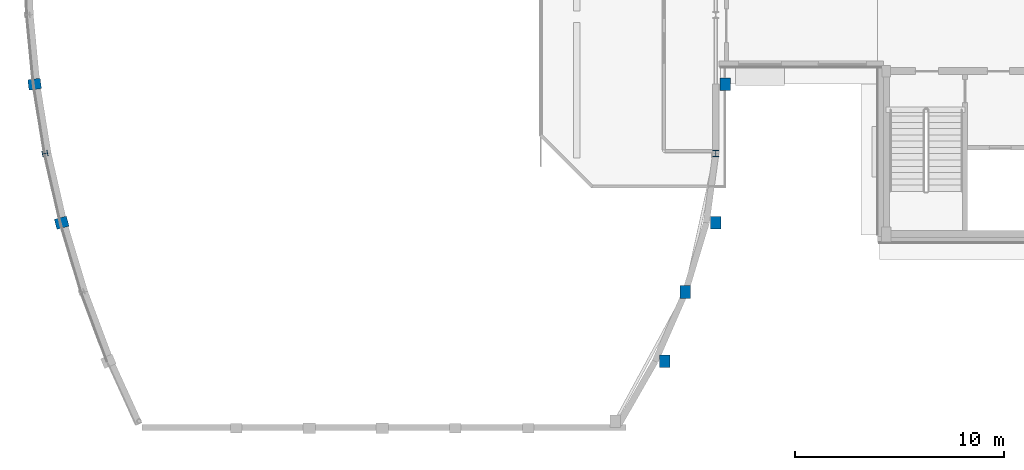
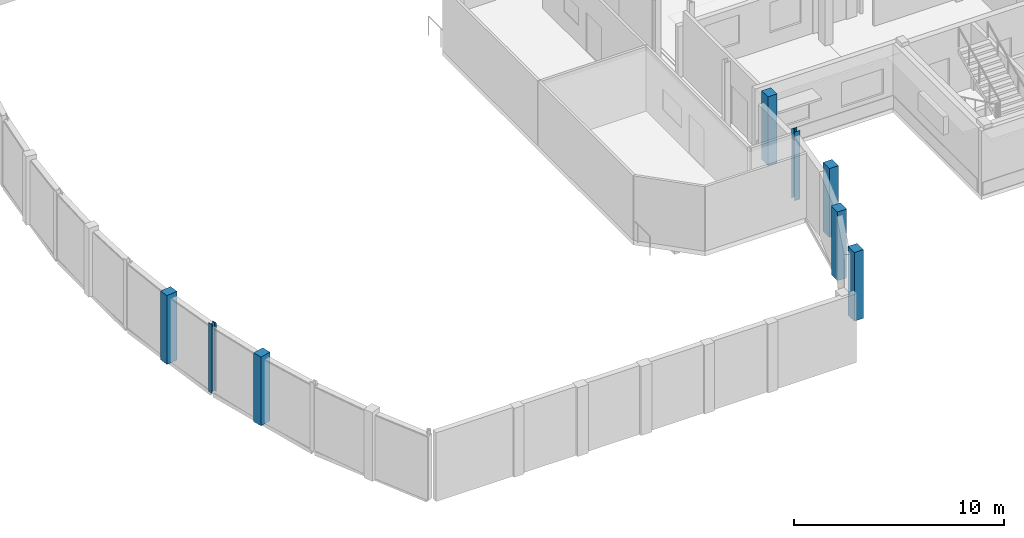
# One storey, part 2 of 92: 8 columns.
"""IFC4 building model written with IfcOpenShell, lengths in metres."""

from ifc_helpers import new_model, si_unit, direction, frame, origin, origin_2d, place, context, subcontext, project, spatial, rectangle, i_section, extrude, material, material_profile, profile_set, type_object, element, save


model = new_model("IFC4")

# Units and contexts
model_context = context("Model", 3, precision=1e-05, world=origin(), true_north=direction((0.0, 1.0)))
body_context = subcontext(model_context, "Body", "Model", "MODEL_VIEW")
ifc_project = project(units=[si_unit("LENGTHUNIT", "METRE"), si_unit("AREAUNIT", "SQUARE_METRE"), si_unit("VOLUMEUNIT", "CUBIC_METRE"), si_unit("PLANEANGLEUNIT", "RADIAN"), si_unit("MASSUNIT", "GRAM", prefix="KILO")], contexts=[model_context])

# Site, building, storey
site_placement = place(None, origin())
site = spatial("IfcSite", under=ifc_project, at=site_placement, CompositionType="ELEMENT")
building_placement = place(site_placement, origin())
building = spatial("IfcBuilding", under=site, at=building_placement, Name="Kelanivale Promenade Academy", CompositionType="ELEMENT")
storey_placement = place(building_placement, frame((0.0, 0.0, 8.199951171875)))
storey = spatial("IfcBuildingStorey", under=building, at=storey_placement, Name="L02", CompositionType="ELEMENT", Elevation=8.199951171875)

# Columns
ifc_material_1 = material(Name="Concrete C40/50", Category="concrete")
ifc_material_profile_1 = material_profile(ifc_material_1, rectangle(XDim=0.5, YDim=0.60009765625, at=origin_2d()), Name="RC-PIL 500x600")
ifc_profile_set_1 = profile_set([ifc_material_profile_1], Name="Concrete C40/50")
column_type_1 = type_object("IfcColumnType", Name="PL-18 RC-PIL 500x600", PredefinedType="PILASTER", material=ifc_profile_set_1)
for number, where, z_axis, x_axis, name in (
    (1, (2.864013671875, 49.571044921875, 0.0), (0.0, 0.0, 1.0), (-0.12741083733, 0.991850028246, 0.0), "Column PL-18 at (2.9, 49.6) L02"),
    (2, (4.157958984375, 42.943115234375, 0.0), (0.0, 0.0, 1.0), (-0.2549394954, 0.966957007154, 0.0), "Column PL-18 at (4.2, 42.9) L02"),
    (3, (33.010009765625, 36.31396484375, 0.0), (0.0, 0.0, 1.0), (1.0, 0.0, 0.0), "Column PL-18 at (33.0, 36.3) L02"),
    (4, (34.0, 39.62890625, 0.0), (0.0, 0.0, 1.0), (1.0, 0.0, 0.0), "Column PL-18 at (34.0, 39.6) L02"),
    (5, (35.4599609375, 42.943115234375, 0.0), (0.0, 0.0, 1.0), (1.0, 0.0, 0.0), "Column PL-18 at (35.5, 42.9) L02"),
    (6, (35.909912109375, 49.571044921875, 0.0), (0.0, 0.0, 1.0), (1.0, 0.0, 0.0), "Column PL-18 at (35.9, 49.6) L02"),
):
    element("IfcColumn", number, at=place(storey_placement, frame(where, z_axis=z_axis, x_axis=x_axis)), inside=storey, type_object=column_type_1, Name=name, PredefinedType="PILASTER", context=body_context, shape_type="SweptSolid", body=[
        extrude(rectangle(XDim=0.5, YDim=0.60009765625, at=origin_2d()), origin(), (0.0, 0.0, 1.0), 4.0),
    ])
ifc_material_2 = material(Name="Steel S355", Category="steel")
ifc_material_profile_2 = material_profile(ifc_material_2, i_section(OverallWidth=0.25634765625, OverallDepth=0.26025390625, WebThickness=0.01025390625, FlangeThickness=0.017333984375, FilletRadius=0.0126953125, at=origin_2d()), Name="UC 254x254x89")
ifc_profile_set_2 = profile_set([ifc_material_profile_2], Name="Steel S355")
column_type_2 = type_object("IfcColumnType", Name="SC-03 UC 254x254x89", PredefinedType="COLUMN", material=ifc_profile_set_2)
column_1_placement = place(storey_placement, frame((3.35888671875, 46.257080078125, 0.0), z_axis=(0.0, 0.0, 1.0), x_axis=(-0.191151636272, 0.981560518741, 0.0)))
element("IfcColumn", 7, at=column_1_placement, inside=storey, type_object=column_type_2, Name="Column SC-03 at (3.4, 46.3) L02", PredefinedType="COLUMN", context=body_context, shape_type="SweptSolid", body=[
    extrude(i_section(OverallWidth=0.25634765625, OverallDepth=0.26025390625, WebThickness=0.01025390625, FlangeThickness=0.017333984375, FilletRadius=0.0126953125, at=origin_2d()), origin(), (0.0, 0.0, 1.0), 4.0),
])
ifc_material_profile_3 = material_profile(ifc_material_2, i_section(OverallWidth=0.307373046875, OverallDepth=0.314453125, WebThickness=0.011962890625, FlangeThickness=0.018798828125, FilletRadius=0.01513671875, at=origin_2d()), Name="UC 305x305x118")
ifc_profile_set_3 = profile_set([ifc_material_profile_3], Name="Steel S355")
column_type_3 = type_object("IfcColumnType", Name="SC-04 UC 305x305x118", PredefinedType="COLUMN", material=ifc_profile_set_3)
column_2_placement = place(storey_placement, frame((35.449951171875, 46.257080078125, 0.0), z_axis=(0.0, 0.0, 1.0), x_axis=(1.0, 0.0, 0.0)))
element("IfcColumn", 8, at=column_2_placement, inside=storey, type_object=column_type_3, Name="Column SC-04 at (35.5, 46.3) L02", PredefinedType="COLUMN", context=body_context, shape_type="SweptSolid", body=[
    extrude(i_section(OverallWidth=0.307373046875, OverallDepth=0.314453125, WebThickness=0.011962890625, FlangeThickness=0.018798828125, FilletRadius=0.01513671875, at=origin_2d()), origin(), (0.0, 0.0, 1.0), 4.0),
])

save(model, "model.ifc")
